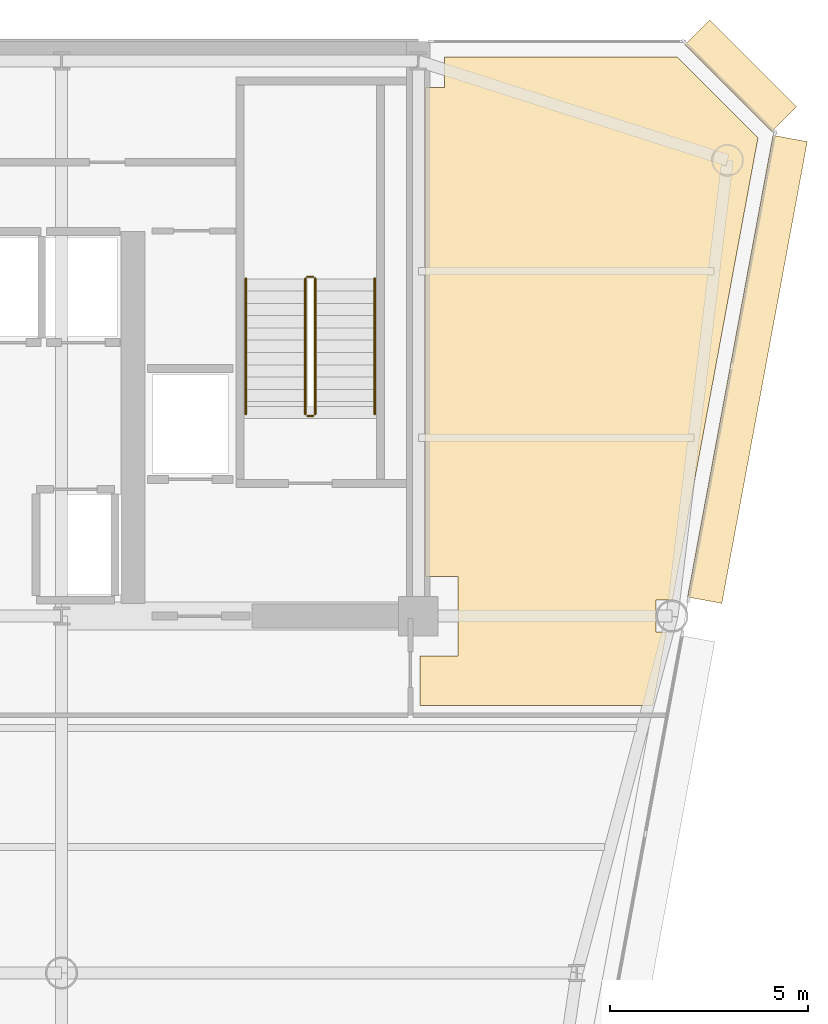
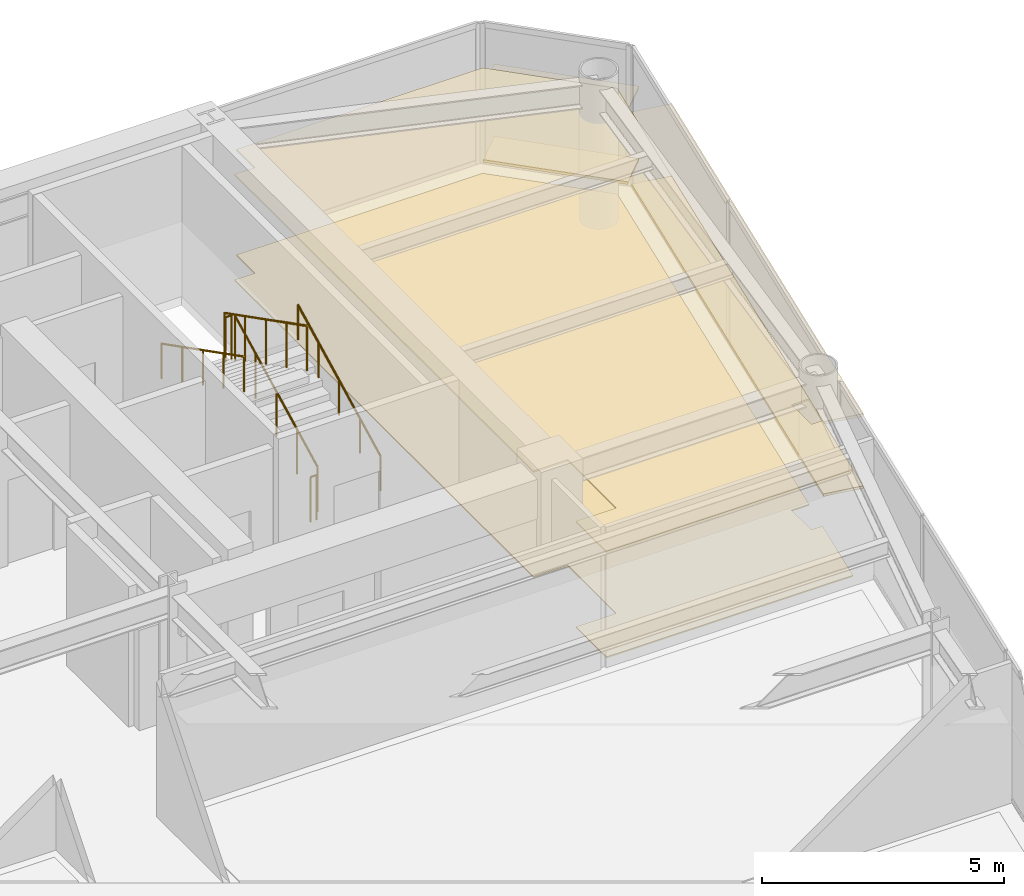
# One storey, part 17 of 17: 6 coverings, 6 railings.
"""IFC4 building model written with IfcOpenShell, lengths in metres."""

from ifc_helpers import new_model, si_unit, direction, frame, origin, origin_2d, place, context, subcontext, project, spatial, polyline, rectangle, circle, outline, extrude, source, transform, mapped, material, layer, layer_set, type_object, element, save


model = new_model("IFC4")

# Units and contexts
model_context = context("Model", 3, precision=1e-05, world=origin(), true_north=direction((0.0, 1.0)))
body_context = subcontext(model_context, "Body", "Model", "MODEL_VIEW")
ifc_project = project(units=[si_unit("LENGTHUNIT", "METRE"), si_unit("AREAUNIT", "SQUARE_METRE"), si_unit("VOLUMEUNIT", "CUBIC_METRE"), si_unit("PLANEANGLEUNIT", "RADIAN"), si_unit("MASSUNIT", "GRAM", prefix="KILO")], contexts=[model_context])

# Site, building, storey
site_placement = place(None, origin())
site = spatial("IfcSite", under=ifc_project, at=site_placement, CompositionType="ELEMENT")
building_placement = place(site_placement, origin())
building = spatial("IfcBuilding", under=site, at=building_placement, Name="Vaeldorn Concourse Tower", CompositionType="ELEMENT")
storey_placement = place(building_placement, frame((0.0, 0.0, 214.60009765625)))
storey = spatial("IfcBuildingStorey", under=building, at=storey_placement, Name="L55", CompositionType="ELEMENT", Elevation=214.60009765625)

# Coverings
ifc_material_1 = material(Name="Acoustic Mineral Fibre Board", Category="gypsum")
ifc_layer_1 = layer(ifc_material_1, 0.0400390625)
ifc_layer_set_1 = layer_set([ifc_layer_1], Name="Acoustic Mineral Fibre Board")
covering_type_1 = type_object("IfcCoveringType", Name="COV-CEIL-ACOUSTIC", PredefinedType="CEILING", material=ifc_layer_set_1)
covering_1_placement = place(storey_placement, frame((0.0, 0.0, 2.64990234375)))
element("IfcCovering", 1, at=covering_1_placement, inside=storey, type_object=covering_type_1, Name="Suspended Acoustic Ceiling L55-4", PredefinedType="CEILING", context=body_context, shape_type="SweptSolid", body=[
    extrude(outline(polyline([(54.179931640625, 49.840087890625), (54.659912109375, 49.840087890625), (54.659912109375, 50.60009765625), (60.5341796875, 50.60009765625), (62.568359375, 48.56591796875), (60.48828125, 37.320068359375), (60.48828125, 37.320068359375), (60.41162109375, 36.906494140625), (59.993408203125, 36.906494140625), (59.993408203125, 36.093505859375), (60.26123046875, 36.093505859375), (59.91845703125, 34.239990234375), (54.0400390625, 34.239990234375), (54.0400390625, 35.5), (55.0, 35.5), (55.0, 37.5), (54.179931640625, 37.5), (54.179931640625, 49.840087890625)])), origin(), (0.0, 0.0, 1.0), 0.0400390625),
])
ifc_material_2 = material(Name="Honed Limestone Terrazzo Flooring", Category="masonry")
ifc_layer_2 = layer(ifc_material_2, 0.0400390625)
ifc_layer_set_2 = layer_set([ifc_layer_2], Name="Honed Limestone Terrazzo Flooring")
covering_type_2 = type_object("IfcCoveringType", Name="COV-FLOOR-STONE", PredefinedType="FLOORING", material=ifc_layer_set_2)
covering_2_placement = place(storey_placement, origin())
element("IfcCovering", 2, at=covering_2_placement, inside=storey, type_object=covering_type_2, Name="Floor Finish Covering L55-4", PredefinedType="FLOORING", context=body_context, shape_type="SweptSolid", body=[
    extrude(outline(polyline([(54.179931640625, 49.840087890625), (54.659912109375, 49.840087890625), (54.659912109375, 50.60009765625), (60.5341796875, 50.60009765625), (62.568359375, 48.56591796875), (60.48828125, 37.320068359375), (60.48828125, 37.320068359375), (60.41162109375, 36.906494140625), (59.993408203125, 36.906494140625), (59.993408203125, 36.093505859375), (60.26123046875, 36.093505859375), (59.91845703125, 34.239990234375), (54.0400390625, 34.239990234375), (54.0400390625, 35.5), (55.0, 35.5), (55.0, 37.5), (54.179931640625, 37.5), (54.179931640625, 49.840087890625)])), origin(), (0.0, 0.0, 1.0), 0.02978515625),
])

# Railings
ifc_material_3 = material(Name="Anodised Bronze Aluminium", Category="aluminium")
railing_type_1 = type_object("IfcRailingType", Name="RL-STAIR-GUARD", PredefinedType="GUARDRAIL", material=ifc_material_3)
railing_1_placement = place(storey_placement, frame((51.39990234375, 41.60009765625, 0.158203125)))
element("IfcRailing", 3, at=railing_1_placement, inside=storey, type_object=railing_type_1, Name="L55 ST-2 stair guard 1", PredefinedType="GUARDRAIL", context=body_context, shape_type="SweptSolid", body=[
    extrude(circle(Radius=0.02392578125, at=origin_2d()), frame((0.0, 0.0, 1.1259765625), z_axis=(0.0, 0.890555807335, 0.454873997962), x_axis=(-1.0, 0.0, 0.0)), (0.0, 0.0, 1.0), 3.828857421875),
    extrude(circle(Radius=0.02099609375, at=origin_2d()), origin(), (0.0, 0.0, 1.0), 1.101806640625),
    extrude(circle(Radius=0.02099609375, at=origin_2d()), frame((0.0, 0.8525390625, 0.435546875)), (0.0, 0.0, 1.0), 1.101806640625),
    extrude(circle(Radius=0.02099609375, at=origin_2d()), frame((0.0, 1.705078125, 0.870849609375)), (0.0, 0.0, 1.0), 1.101806640625),
    extrude(circle(Radius=0.02099609375, at=origin_2d()), frame((0.0, 2.557373046875, 1.30615234375)), (0.0, 0.0, 1.0), 1.101806640625),
    extrude(circle(Radius=0.02099609375, at=origin_2d()), frame((0.0, 3.409912109375, 1.74169921875)), (0.0, 0.0, 1.0), 1.101806640625),
])
railing_2_placement = place(storey_placement, frame((51.35009765625, 45.06005859375, 1.89990234375)))
element("IfcRailing", 4, at=railing_2_placement, inside=storey, type_object=railing_type_1, Name="L55 ST-2 stair guard 2", PredefinedType="GUARDRAIL", context=body_context, shape_type="SweptSolid", body=[
    extrude(circle(Radius=0.02392578125, at=origin_2d()), frame((0.0, 0.0, 1.1259765625), z_axis=(-1.0, 0.0, 0.0), x_axis=(0.0, -1.0, 0.0)), (0.0, 0.0, 1.0), 0.150146484375),
    extrude(circle(Radius=0.02099609375, at=origin_2d()), origin(), (0.0, 0.0, 1.0), 1.101806640625),
    extrude(circle(Radius=0.02099609375, at=origin_2d()), frame((-0.150146484375, 0.0, 0.0)), (0.0, 0.0, 1.0), 1.101806640625),
])
railing_3_placement = place(storey_placement, frame((51.14990234375, 45.010009765625, 2.058349609375)))
element("IfcRailing", 5, at=railing_3_placement, inside=storey, type_object=railing_type_1, Name="L55 ST-2 stair guard 3", PredefinedType="GUARDRAIL", context=body_context, shape_type="SweptSolid", body=[
    extrude(circle(Radius=0.02392578125, at=origin_2d()), frame((0.0, 0.0, 1.1259765625), z_axis=(0.0, -0.890581635807, 0.454823427236), x_axis=(1.0, 0.0, 0.0)), (0.0, 0.0, 1.0), 3.828857421875),
    extrude(circle(Radius=0.02099609375, at=origin_2d()), origin(), (0.0, 0.0, 1.0), 1.101806640625),
    extrude(circle(Radius=0.02099609375, at=origin_2d()), frame((0.0, -0.8525390625, 0.435302734375)), (0.0, 0.0, 1.0), 1.101806640625),
    extrude(circle(Radius=0.02099609375, at=origin_2d()), frame((0.0, -1.705078125, 0.87060546875)), (0.0, 0.0, 1.0), 1.101806640625),
    extrude(circle(Radius=0.02099609375, at=origin_2d()), frame((0.0, -2.557373046875, 1.30615234375)), (0.0, 0.0, 1.0), 1.101806640625),
    extrude(circle(Radius=0.02099609375, at=origin_2d()), frame((0.0, -3.409912109375, 1.741455078125)), (0.0, 0.0, 1.0), 1.101806640625),
])
railing_4_placement = place(storey_placement, frame((51.35009765625, 41.550048828125, 0.0)))
element("IfcRailing", 6, at=railing_4_placement, inside=storey, type_object=railing_type_1, Name="L55 ST-2 stair guard 4", PredefinedType="GUARDRAIL", context=body_context, shape_type="SweptSolid", body=[
    extrude(circle(Radius=0.02392578125, at=origin_2d()), frame((0.0, 0.0, 1.1259765625), z_axis=(-1.0, 0.0, 0.0), x_axis=(0.0, -1.0, 0.0)), (0.0, 0.0, 1.0), 0.150146484375),
    extrude(circle(Radius=0.02099609375, at=origin_2d()), origin(), (0.0, 0.0, 1.0), 1.101806640625),
    extrude(circle(Radius=0.02099609375, at=origin_2d()), frame((-0.150146484375, 0.0, 0.0)), (0.0, 0.0, 1.0), 1.101806640625),
])
railing_type_2 = type_object("IfcRailingType", Name="RL-STAIR-HANDRAIL", PredefinedType="HANDRAIL", material=ifc_material_3)
railing_5_placement = place(storey_placement, frame((52.89990234375, 41.60009765625, 0.158203125)))
element("IfcRailing", 7, at=railing_5_placement, inside=storey, type_object=railing_type_2, Name="L55 ST-2 stair handrail 1", PredefinedType="HANDRAIL", context=body_context, shape_type="SweptSolid", body=[
    extrude(circle(Radius=0.02392578125, at=origin_2d()), frame((0.0, 0.0, 0.8759765625), z_axis=(0.0, 0.890555807335, 0.454873997962), x_axis=(-1.0, 0.0, 0.0)), (0.0, 0.0, 1.0), 3.828857421875),
    extrude(circle(Radius=0.02099609375, at=origin_2d()), origin(), (0.0, 0.0, 1.0), 0.851806640625),
    extrude(circle(Radius=0.02099609375, at=origin_2d()), frame((0.0, 0.8525390625, 0.435546875)), (0.0, 0.0, 1.0), 0.851806640625),
    extrude(circle(Radius=0.02099609375, at=origin_2d()), frame((0.0, 1.705078125, 0.870849609375)), (0.0, 0.0, 1.0), 0.851806640625),
    extrude(circle(Radius=0.02099609375, at=origin_2d()), frame((0.0, 2.557373046875, 1.30615234375)), (0.0, 0.0, 1.0), 0.851806640625),
    extrude(circle(Radius=0.02099609375, at=origin_2d()), frame((0.0, 3.409912109375, 1.74169921875)), (0.0, 0.0, 1.0), 0.851806640625),
])
railing_6_placement = place(storey_placement, frame((49.64990234375, 45.010009765625, 2.058349609375)))
element("IfcRailing", 8, at=railing_6_placement, inside=storey, type_object=railing_type_2, Name="L55 ST-2 stair handrail 2", PredefinedType="HANDRAIL", context=body_context, shape_type="SweptSolid", body=[
    extrude(circle(Radius=0.02392578125, at=origin_2d()), frame((0.0, 0.0, 0.8759765625), z_axis=(0.0, -0.890581635807, 0.454823427236), x_axis=(1.0, 0.0, 0.0)), (0.0, 0.0, 1.0), 3.828857421875),
    extrude(circle(Radius=0.02099609375, at=origin_2d()), origin(), (0.0, 0.0, 1.0), 0.851806640625),
    extrude(circle(Radius=0.02099609375, at=origin_2d()), frame((0.0, -0.8525390625, 0.435302734375)), (0.0, 0.0, 1.0), 0.851806640625),
    extrude(circle(Radius=0.02099609375, at=origin_2d()), frame((0.0, -1.705078125, 0.87060546875)), (0.0, 0.0, 1.0), 0.851806640625),
    extrude(circle(Radius=0.02099609375, at=origin_2d()), frame((0.0, -2.557373046875, 1.30615234375)), (0.0, 0.0, 1.0), 0.851806640625),
    extrude(circle(Radius=0.02099609375, at=origin_2d()), frame((0.0, -3.409912109375, 1.741455078125)), (0.0, 0.0, 1.0), 0.851806640625),
])

# Coverings
ifc_layer_3 = layer(ifc_material_3, 0.06494140625)
ifc_layer_set_3 = layer_set([ifc_layer_3], Name="Anodised Bronze Aluminium")
covering_type_3 = type_object("IfcCoveringType", Name="SD-BRONZE-SUNSHADE", PredefinedType="USERDEFINED", material=ifc_layer_set_3)
shared_shape_1 = source(origin(), body_context, "Body", "SweptSolid", [
    extrude(rectangle(XDim=3.0927734375, YDim=0.8798828125, at=origin_2d()), origin(), (0.0, 0.0, 1.0), 0.06494140625),
])
for number, where, z_axis, x_axis, name in (
    (9, (62.1328125, 50.1328125, 0.04736328125), (0.0, 0.0, 1.0), (-0.707106781187, 0.707106781187, 0.0), "Horizontal Bronze Sunshade L55-E08.1.1"),
    (10, (62.1328125, 50.1328125, 1.867431640625), (0.0, 0.0, 1.0), (-0.707106781187, 0.707106781187, 0.0), "Horizontal Bronze Sunshade L55-E08.1.2"),
):
    element("IfcCovering", number, at=place(storey_placement, frame(where, z_axis=z_axis, x_axis=x_axis)), inside=storey, type_object=covering_type_3, Name=name, ObjectType="SUNSHADE", PredefinedType="USERDEFINED", context=body_context, shape_type="MappedRepresentation", body=[
        mapped(shared_shape_1, transform((0.0, 0.0, 0.0), scale=1.0)),
    ])
shared_shape_2 = source(origin(), body_context, "Body", "SweptSolid", [
    extrude(rectangle(XDim=11.844482421875, YDim=0.8798828125, at=origin_2d()), origin(), (0.0, 0.0, 1.0), 0.06494140625),
])
for number, where, z_axis, x_axis, name in (
    (11, (62.301513671875, 42.72509765625, 0.04736328125), (0.0, 0.0, 1.0), (0.181892293686, 0.983318459858, 0.0), "Horizontal Bronze Sunshade L55-E07.2.1"),
    (12, (62.301513671875, 42.72509765625, 1.867431640625), (0.0, 0.0, 1.0), (0.181892293686, 0.983318459858, 0.0), "Horizontal Bronze Sunshade L55-E07.2.2"),
):
    element("IfcCovering", number, at=place(storey_placement, frame(where, z_axis=z_axis, x_axis=x_axis)), inside=storey, type_object=covering_type_3, Name=name, ObjectType="SUNSHADE", PredefinedType="USERDEFINED", context=body_context, shape_type="MappedRepresentation", body=[
        mapped(shared_shape_2, transform((0.0, 0.0, 0.0), scale=1.0)),
    ])

save(model, "model.ifc")
